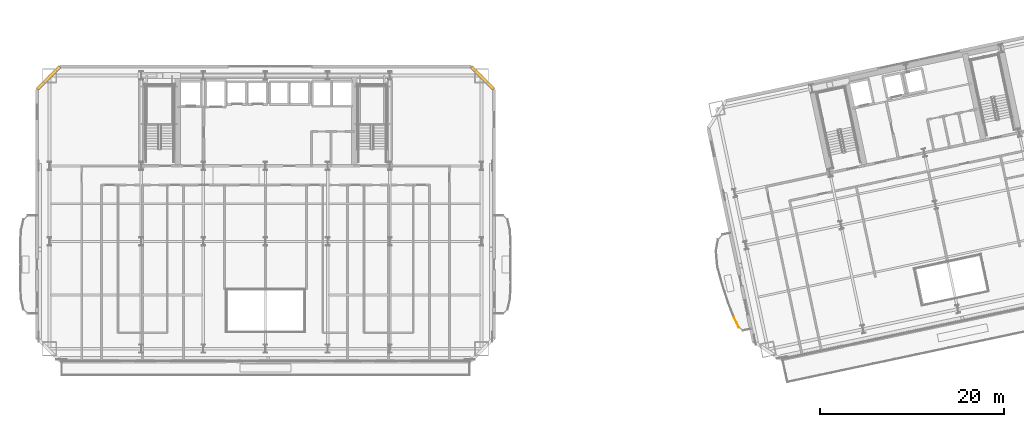
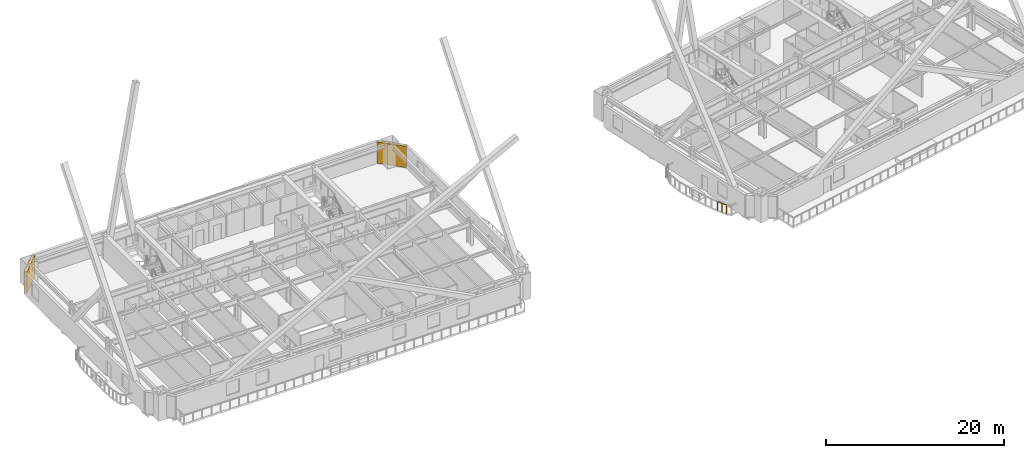
# One storey, part 19 of 22: 2 shading devices, 1 railing.
"""IFC4 building model written with IfcOpenShell, lengths in metres."""

from ifc_helpers import new_model, si_unit, direction, frame, origin, origin_2d, place, context, subcontext, project, spatial, rectangle, extrude, material, layer, layer_set, type_object, element, save


model = new_model("IFC4")

# Units and contexts
model_context = context("Model", 3, precision=1e-05, world=origin(), true_north=direction((0.0, 1.0)))
body_context = subcontext(model_context, "Body", "Model", "MODEL_VIEW")
ifc_project = project(units=[si_unit("LENGTHUNIT", "METRE"), si_unit("AREAUNIT", "SQUARE_METRE"), si_unit("VOLUMEUNIT", "CUBIC_METRE"), si_unit("PLANEANGLEUNIT", "RADIAN"), si_unit("MASSUNIT", "GRAM", prefix="KILO")], contexts=[model_context])

# Site, building, storey
site_placement = place(None, origin())
site = spatial("IfcSite", under=ifc_project, at=site_placement, CompositionType="ELEMENT")
building_placement = place(site_placement, origin())
building = spatial("IfcBuilding", under=site, at=building_placement, Name="Haevon Station Towers", CompositionType="ELEMENT")
storey_placement = place(building_placement, frame((0.0, 0.0, 70.199951171875)))
storey = spatial("IfcBuildingStorey", under=building, at=storey_placement, Name="L18", CompositionType="ELEMENT", Elevation=70.199951171875)

# Railing
ifc_material_1 = material(Name="Steel S355", Category="steel")
railing_type = type_object("IfcRailingType", Name="GRD-EXT1200", PredefinedType="GUARDRAIL", material=ifc_material_1)
railing_placement = place(storey_placement, frame((88.355712890625, 21.749267578125, 0.0)))
element("IfcRailing", 1, at=railing_placement, inside=storey, type_object=railing_type, Name="L18 Perimeter Guardrail 8", PredefinedType="GUARDRAIL", context=body_context, shape_type="SweptSolid", body=[
    extrude(rectangle(XDim=0.048095703125, YDim=0.048095703125, at=origin_2d()), frame((0.0, 0.0, 1.17578125), z_axis=(0.439670949707, -0.898158925794, 0.0), x_axis=(0.898158925794, 0.439670949707, 0.0)), (0.0, 0.0, 1.0), 1.20654296875),
    extrude(rectangle(XDim=0.0419921875, YDim=0.0419921875, at=origin_2d()), origin(), (0.0, 0.0, 1.0), 1.15185546875),
    extrude(rectangle(XDim=0.0419921875, YDim=0.0419921875, at=origin_2d()), frame((0.26513671875, -0.5419921875, 0.0)), (0.0, 0.0, 1.0), 1.15185546875),
    extrude(rectangle(XDim=0.0419921875, YDim=0.0419921875, at=origin_2d()), frame((0.530517578125, -1.083740234375, 0.0)), (0.0, 0.0, 1.0), 1.15185546875),
])

# Shading devices
ifc_material_2 = material(Name="Anodised aluminium 6063-T6", Category="aluminium")
ifc_layer = layer(ifc_material_2, 0.139892578125)
ifc_layer_set = layer_set([ifc_layer], Name="Anodised aluminium 6063-T6")
shading_device_type = type_object("IfcShadingDeviceType", Name="SHD-WIND-BAFFLE", PredefinedType="SHUTTER", material=ifc_layer_set)
for number, where, z_axis, x_axis, name in (
    (2, (13.949951171875, 47.75, 0.05029296875), (0.0, 0.0, 1.0), (0.707106781187, 0.707106781187, 0.0), "Tower 1 L18 Wind-Corner Aerofoil Baffle NWC"),
    (3, (61.050048828125, 47.75, 0.05029296875), (0.0, 0.0, 1.0), (0.707106781187, -0.707106781187, 0.0), "Tower 1 L18 Wind-Corner Aerofoil Baffle NEC"),
):
    element("IfcShadingDevice", number, at=place(storey_placement, frame(where, z_axis=z_axis, x_axis=x_axis)), inside=storey, type_object=shading_device_type, Name=name, PredefinedType="SHUTTER", context=body_context, shape_type="SweptSolid", body=[
        extrude(rectangle(XDim=3.435546875, YDim=0.340087890625, at=origin_2d()), origin(), (0.0, 0.0, 1.0), 2.929931640625),
    ])

save(model, "model.ifc")
